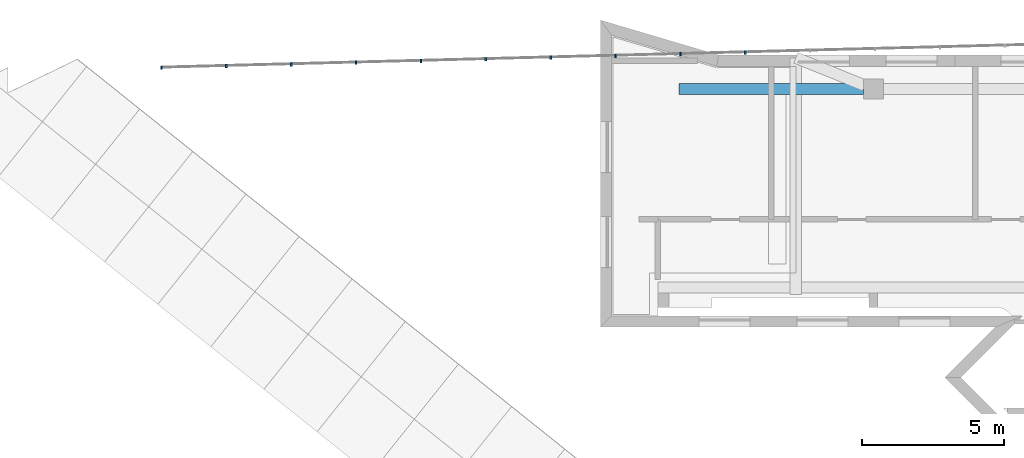
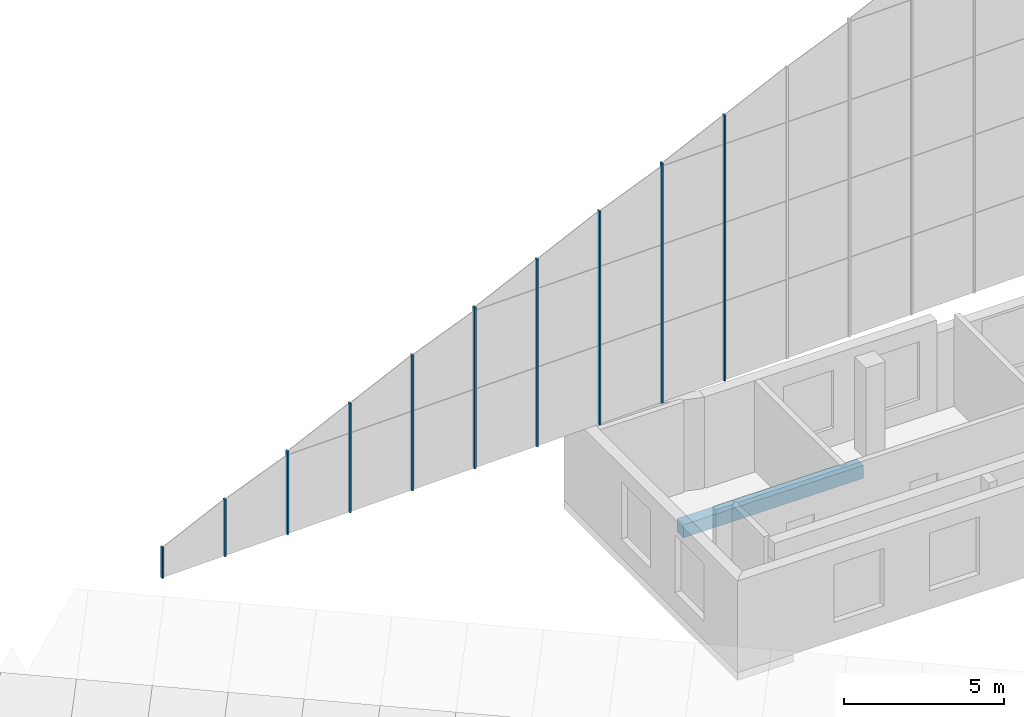
# One storey, part 2 of 13: 10 members, 1 beam, 1 element without a shape of its own.
"""IFC4 building model written with IfcOpenShell, lengths in metres."""

from ifc_helpers import new_model, si_unit, direction, frame, origin, origin_2d, place, context, subcontext, project, spatial, rectangle, extrude, material, material_profile, profile_set, type_object, element, aggregate, save


model = new_model("IFC4")

# Units and contexts
model_context = context("Model", 3, precision=1e-05, world=origin(), true_north=direction((0.0, 1.0)))
body_context = subcontext(model_context, "Body", "Model", "MODEL_VIEW")
ifc_project = project(units=[si_unit("LENGTHUNIT", "METRE"), si_unit("AREAUNIT", "SQUARE_METRE"), si_unit("VOLUMEUNIT", "CUBIC_METRE"), si_unit("PLANEANGLEUNIT", "RADIAN"), si_unit("MASSUNIT", "GRAM", prefix="KILO")], contexts=[model_context])

# Site, building, storey
site_placement = place(None, origin())
site = spatial("IfcSite", under=ifc_project, at=site_placement, CompositionType="ELEMENT")
building_placement = place(site_placement, origin())
building = spatial("IfcBuilding", under=site, at=building_placement, Name="Windrow Commons", CompositionType="ELEMENT")
storey_placement = place(building_placement, frame((0.0, 0.0, 302.0)))
storey = spatial("IfcBuildingStorey", under=building, at=storey_placement, Name="L82", CompositionType="ELEMENT", Elevation=302.0)

# Curtain wall, members
ifc_material_1 = material(Name="Laminated glass in anodised aluminium frame", Category="aluminium")
curtain_wall_type = type_object("IfcCurtainWallType", Name="Curtain wall crown terrace screen", PredefinedType="USERDEFINED", material=ifc_material_1)
curtain_wall_placement = place(storey_placement, origin())
curtain_wall = element("IfcCurtainWall", 1, at=curtain_wall_placement, inside=storey, type_object=curtain_wall_type, Name="Glazed crown screen L82", ObjectType="STICK", PredefinedType="USERDEFINED")
ifc_material_2 = material(Name="Anodised aluminium", Category="aluminium")
ifc_material_profile_1 = material_profile(ifc_material_2, rectangle(XDim=0.06, YDim=0.12, at=origin_2d()))
ifc_profile_set_1 = profile_set([ifc_material_profile_1], Name="Anodised aluminium")
member_type = type_object("IfcMemberType", Name="Crown screen mullion 60x120", PredefinedType="MULLION", material=ifc_profile_set_1)
member_1_placement = place(storey_placement, frame((39.6872, 72.7482, 3.5), z_axis=(0.0, 0.0, 1.0), x_axis=(1.0, 0.0, 0.0)))
member_1 = element("IfcMember", 2, at=member_1_placement, type_object=member_type, Name="Crown screen mullion L82", PredefinedType="MULLION", context=body_context, shape_type="SweptSolid", body=[
    extrude(rectangle(XDim=0.06, YDim=0.12, at=origin_2d()), origin(), (0.0, 0.0, 1.0), 1.1842),
])
member_2_placement = place(storey_placement, frame((41.9755, 72.8083, 3.5), z_axis=(0.0, 0.0, 1.0), x_axis=(1.0, 0.0, 0.0)))
member_2 = element("IfcMember", 3, at=member_2_placement, type_object=member_type, Name="Crown screen mullion L82", PredefinedType="MULLION", context=body_context, shape_type="SweptSolid", body=[
    extrude(rectangle(XDim=0.06, YDim=0.12, at=origin_2d()), origin(), (0.0, 0.0, 1.0), 2.1801),
])
member_3_placement = place(storey_placement, frame((44.2639, 72.8685, 3.5), z_axis=(0.0, 0.0, 1.0), x_axis=(1.0, 0.0, 0.0)))
member_3 = element("IfcMember", 4, at=member_3_placement, type_object=member_type, Name="Crown screen mullion L82", PredefinedType="MULLION", context=body_context, shape_type="SweptSolid", body=[
    extrude(rectangle(XDim=0.06, YDim=0.12, at=origin_2d()), origin(), (0.0, 0.0, 1.0), 3.176),
])
member_4_placement = place(storey_placement, frame((46.5522, 72.9286, 3.5), z_axis=(0.0, 0.0, 1.0), x_axis=(1.0, 0.0, 0.0)))
member_4 = element("IfcMember", 5, at=member_4_placement, type_object=member_type, Name="Crown screen mullion L82", PredefinedType="MULLION", context=body_context, shape_type="SweptSolid", body=[
    extrude(rectangle(XDim=0.06, YDim=0.12, at=origin_2d()), origin(), (0.0, 0.0, 1.0), 4.1719),
])
member_5_placement = place(storey_placement, frame((48.8405, 72.9887, 3.5), z_axis=(0.0, 0.0, 1.0), x_axis=(1.0, 0.0, 0.0)))
member_5 = element("IfcMember", 6, at=member_5_placement, type_object=member_type, Name="Crown screen mullion L82", PredefinedType="MULLION", context=body_context, shape_type="SweptSolid", body=[
    extrude(rectangle(XDim=0.06, YDim=0.12, at=origin_2d()), origin(), (0.0, 0.0, 1.0), 5.1678),
])
member_6_placement = place(storey_placement, frame((51.1289, 73.0488, 3.5), z_axis=(0.0, 0.0, 1.0), x_axis=(1.0, 0.0, 0.0)))
member_6 = element("IfcMember", 7, at=member_6_placement, type_object=member_type, Name="Crown screen mullion L82", PredefinedType="MULLION", context=body_context, shape_type="SweptSolid", body=[
    extrude(rectangle(XDim=0.06, YDim=0.12, at=origin_2d()), origin(), (0.0, 0.0, 1.0), 6.1637),
])
member_7_placement = place(storey_placement, frame((53.4172, 73.109, 3.5), z_axis=(0.0, 0.0, 1.0), x_axis=(1.0, 0.0, 0.0)))
member_7 = element("IfcMember", 8, at=member_7_placement, type_object=member_type, Name="Crown screen mullion L82", PredefinedType="MULLION", context=body_context, shape_type="SweptSolid", body=[
    extrude(rectangle(XDim=0.06, YDim=0.12, at=origin_2d()), origin(), (0.0, 0.0, 1.0), 7.1596),
])
member_8_placement = place(storey_placement, frame((55.7056, 73.1691, 3.5), z_axis=(0.0, 0.0, 1.0), x_axis=(1.0, 0.0, 0.0)))
member_8 = element("IfcMember", 9, at=member_8_placement, type_object=member_type, Name="Crown screen mullion L82", PredefinedType="MULLION", context=body_context, shape_type="SweptSolid", body=[
    extrude(rectangle(XDim=0.06, YDim=0.12, at=origin_2d()), origin(), (0.0, 0.0, 1.0), 8.1555),
])
member_9_placement = place(storey_placement, frame((57.9939, 73.2292, 3.5), z_axis=(0.0, 0.0, 1.0), x_axis=(1.0, 0.0, 0.0)))
member_9 = element("IfcMember", 10, at=member_9_placement, type_object=member_type, Name="Crown screen mullion L82", PredefinedType="MULLION", context=body_context, shape_type="SweptSolid", body=[
    extrude(rectangle(XDim=0.06, YDim=0.12, at=origin_2d()), origin(), (0.0, 0.0, 1.0), 9.1514),
])
member_10_placement = place(storey_placement, frame((60.2822, 73.2894, 3.5), z_axis=(0.0, 0.0, 1.0), x_axis=(1.0, 0.0, 0.0)))
member_10 = element("IfcMember", 11, at=member_10_placement, type_object=member_type, Name="Crown screen mullion L82", PredefinedType="MULLION", context=body_context, shape_type="SweptSolid", body=[
    extrude(rectangle(XDim=0.06, YDim=0.12, at=origin_2d()), origin(), (0.0, 0.0, 1.0), 10.1472),
])
aggregate(curtain_wall, [member_1, member_2, member_3, member_4, member_5, member_6, member_7, member_8, member_9, member_10])

# Beam
ifc_material_3 = material(Name="Concrete C40/50", Category="concrete")
ifc_material_profile_2 = material_profile(ifc_material_3, rectangle(XDim=0.4, YDim=0.5, at=origin_2d()))
ifc_profile_set_2 = profile_set([ifc_material_profile_2], Name="Concrete C40/50")
beam_type = type_object("IfcBeamType", Name="RC EDGE BEAM 400x500 C40/50", PredefinedType="SPANDREL", material=ifc_profile_set_2)
beam_placement = place(storey_placement, frame((57.95, 72.0, -0.55), z_axis=(1.0, 0.0, 0.0), x_axis=(0.0, 1.0, 0.0)))
element("IfcBeam", 12, at=beam_placement, inside=storey, type_object=beam_type, Name="Edge beam L82 001", PredefinedType="SPANDREL", context=body_context, shape_type="SweptSolid", body=[
    extrude(rectangle(XDim=0.4, YDim=0.5, at=origin_2d()), origin(), (0.0, 0.0, 1.0), 6.5),
])

save(model, "model.ifc")
